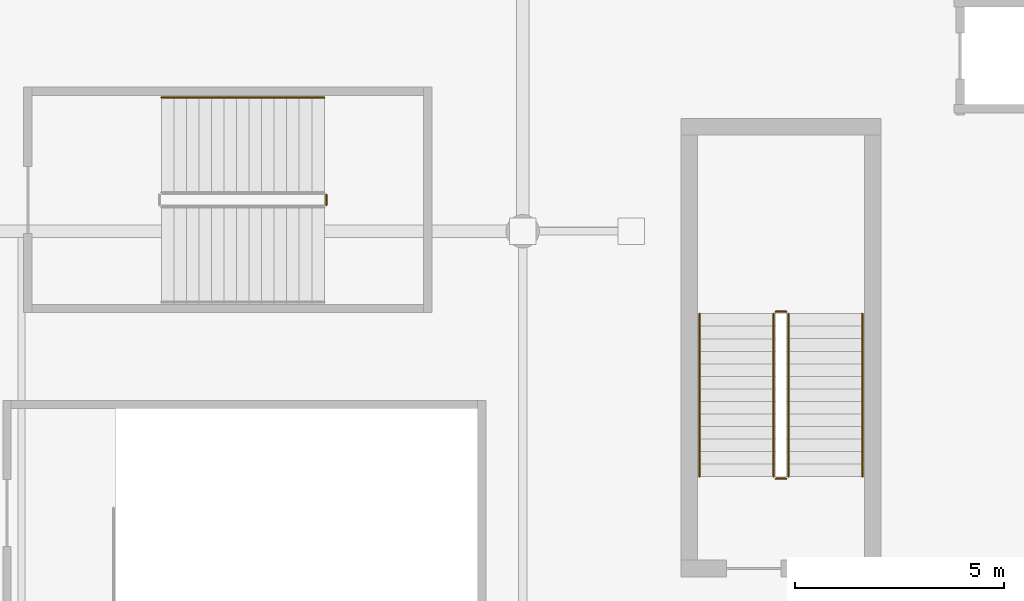
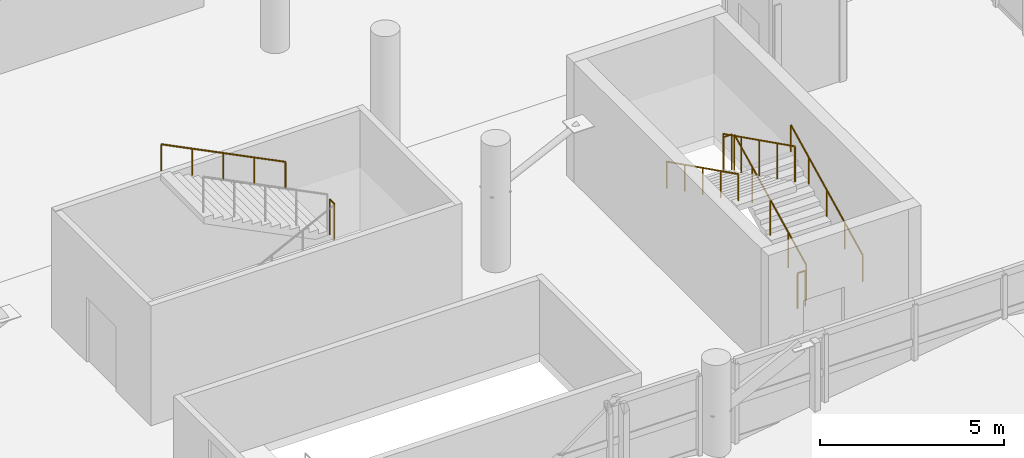
# One storey, part 128 of 136: 8 railings.
"""IFC4 building model written with IfcOpenShell, lengths in metres."""

from ifc_helpers import new_model, si_unit, direction, frame, origin, origin_2d, place, context, subcontext, project, spatial, circle, extrude, material, type_object, element, save


model = new_model("IFC4")

# Units and contexts
model_context = context("Model", 3, precision=1e-05, world=origin(), true_north=direction((0.0, 1.0)))
body_context = subcontext(model_context, "Body", "Model", "MODEL_VIEW")
ifc_project = project(units=[si_unit("LENGTHUNIT", "METRE"), si_unit("AREAUNIT", "SQUARE_METRE"), si_unit("VOLUMEUNIT", "CUBIC_METRE"), si_unit("PLANEANGLEUNIT", "RADIAN"), si_unit("MASSUNIT", "GRAM", prefix="KILO")], contexts=[model_context])

# Site, building, storey
site_placement = place(None, origin())
site = spatial("IfcSite", under=ifc_project, at=site_placement, CompositionType="ELEMENT")
building_placement = place(site_placement, origin())
building = spatial("IfcBuilding", under=site, at=building_placement, Name="Chuanluo Vaults Station", CompositionType="ELEMENT")
storey_placement = place(building_placement, frame((0.0, 0.0, 6.60009765625)))
storey = spatial("IfcBuildingStorey", under=building, at=storey_placement, Name="L01", CompositionType="ELEMENT", Elevation=6.60009765625)

# Railings
ifc_material_1 = material(Name="Tempered laminated balustrade glass", Category="glass")
railing_type_1 = type_object("IfcRailingType", Name="RLG-GUARD-1200", PredefinedType="BALUSTRADE", material=ifc_material_1)
railing_1_placement = place(storey_placement, frame((78.362548828125, 24.125, 0.14990234375)))
element("IfcRailing", 1, at=railing_1_placement, inside=storey, type_object=railing_type_1, Name="L01 ST-06 stair guard 1", PredefinedType="BALUSTRADE", context=body_context, shape_type="SweptSolid", body=[
    extrude(circle(Radius=0.02392578125, at=origin_2d()), frame((0.0, 0.0, 1.17578125), z_axis=(0.0, 0.894427191, 0.4472135955), x_axis=(-1.0, 0.0, 0.0)), (0.0, 0.0, 1.0), 4.360107421875),
    extrude(circle(Radius=0.02099609375, at=origin_2d()), origin(), (0.0, 0.0, 1.0), 1.15185546875),
    extrude(circle(Radius=0.02099609375, at=origin_2d()), frame((0.0, 0.97509765625, 0.487548828125)), (0.0, 0.0, 1.0), 1.15185546875),
    extrude(circle(Radius=0.02099609375, at=origin_2d()), frame((0.0, 1.949951171875, 0.97509765625)), (0.0, 0.0, 1.0), 1.15185546875),
    extrude(circle(Radius=0.02099609375, at=origin_2d()), frame((0.0, 2.9248046875, 1.46240234375)), (0.0, 0.0, 1.0), 1.15185546875),
    extrude(circle(Radius=0.02099609375, at=origin_2d()), frame((0.0, 3.89990234375, 1.949951171875)), (0.0, 0.0, 1.0), 1.15185546875),
])
railing_2_placement = place(storey_placement, frame((78.3125, 28.074951171875, 2.099853515625)))
element("IfcRailing", 2, at=railing_2_placement, inside=storey, type_object=railing_type_1, Name="L01 ST-06 stair guard 2", PredefinedType="BALUSTRADE", context=body_context, shape_type="SweptSolid", body=[
    extrude(circle(Radius=0.02392578125, at=origin_2d()), frame((0.0, 0.0, 1.17578125), z_axis=(-1.0, 0.0, 0.0), x_axis=(0.0, -1.0, 0.0)), (0.0, 0.0, 1.0), 0.25),
    extrude(circle(Radius=0.02099609375, at=origin_2d()), origin(), (0.0, 0.0, 1.0), 1.15185546875),
    extrude(circle(Radius=0.02099609375, at=origin_2d()), frame((-0.25, 0.0, 0.0)), (0.0, 0.0, 1.0), 1.15185546875),
])
railing_3_placement = place(storey_placement, frame((78.012451171875, 28.02490234375, 2.25)))
element("IfcRailing", 3, at=railing_3_placement, inside=storey, type_object=railing_type_1, Name="L01 ST-06 stair guard 3", PredefinedType="BALUSTRADE", context=body_context, shape_type="SweptSolid", body=[
    extrude(circle(Radius=0.02392578125, at=origin_2d()), frame((0.0, 0.0, 1.17578125), z_axis=(0.0, -0.894427191, 0.4472135955), x_axis=(1.0, 0.0, 0.0)), (0.0, 0.0, 1.0), 4.360107421875),
    extrude(circle(Radius=0.02099609375, at=origin_2d()), origin(), (0.0, 0.0, 1.0), 1.15185546875),
    extrude(circle(Radius=0.02099609375, at=origin_2d()), frame((0.0, -0.97509765625, 0.487548828125)), (0.0, 0.0, 1.0), 1.15185546875),
    extrude(circle(Radius=0.02099609375, at=origin_2d()), frame((0.0, -1.949951171875, 0.97509765625)), (0.0, 0.0, 1.0), 1.15185546875),
    extrude(circle(Radius=0.02099609375, at=origin_2d()), frame((0.0, -2.9248046875, 1.46240234375)), (0.0, 0.0, 1.0), 1.15185546875),
    extrude(circle(Radius=0.02099609375, at=origin_2d()), frame((0.0, -3.89990234375, 1.949951171875)), (0.0, 0.0, 1.0), 1.15185546875),
])
railing_4_placement = place(storey_placement, frame((78.3125, 24.074951171875, 0.0)))
element("IfcRailing", 4, at=railing_4_placement, inside=storey, type_object=railing_type_1, Name="L01 ST-06 stair guard 4", PredefinedType="BALUSTRADE", context=body_context, shape_type="SweptSolid", body=[
    extrude(circle(Radius=0.02392578125, at=origin_2d()), frame((0.0, 0.0, 1.17578125), z_axis=(-1.0, 0.0, 0.0), x_axis=(0.0, -1.0, 0.0)), (0.0, 0.0, 1.0), 0.25),
    extrude(circle(Radius=0.02099609375, at=origin_2d()), origin(), (0.0, 0.0, 1.0), 1.15185546875),
    extrude(circle(Radius=0.02099609375, at=origin_2d()), frame((-0.25, 0.0, 0.0)), (0.0, 0.0, 1.0), 1.15185546875),
])
railing_5_placement = place(storey_placement, frame((67.300048828125, 30.625, 2.099853515625)))
element("IfcRailing", 5, at=railing_5_placement, inside=storey, type_object=railing_type_1, Name="L01 ST-23 stair guard 2", PredefinedType="BALUSTRADE", context=body_context, shape_type="SweptSolid", body=[
    extrude(circle(Radius=0.02392578125, at=origin_2d()), frame((0.0, 0.0, 1.17578125), z_axis=(0.0, 1.0, 0.0), x_axis=(-1.0, 0.0, 0.0)), (0.0, 0.0, 1.0), 0.25),
    extrude(circle(Radius=0.02099609375, at=origin_2d()), origin(), (0.0, 0.0, 1.0), 1.15185546875),
    extrude(circle(Radius=0.02099609375, at=origin_2d()), frame((0.0, 0.25, 0.0)), (0.0, 0.0, 1.0), 1.15185546875),
])
ifc_material_2 = material(Name="Brushed stainless steel 304", Category="steel")
railing_type_2 = type_object("IfcRailingType", Name="RLG-HAND-900", PredefinedType="HANDRAIL", material=ifc_material_2)
railing_6_placement = place(storey_placement, frame((80.137451171875, 24.125, 0.14990234375)))
element("IfcRailing", 6, at=railing_6_placement, inside=storey, type_object=railing_type_2, Name="L01 ST-06 stair handrail 1", PredefinedType="HANDRAIL", context=body_context, shape_type="SweptSolid", body=[
    extrude(circle(Radius=0.02392578125, at=origin_2d()), frame((0.0, 0.0, 0.8759765625), z_axis=(0.0, 0.894427191, 0.4472135955), x_axis=(-1.0, 0.0, 0.0)), (0.0, 0.0, 1.0), 4.360107421875),
    extrude(circle(Radius=0.02099609375, at=origin_2d()), origin(), (0.0, 0.0, 1.0), 0.851806640625),
    extrude(circle(Radius=0.02099609375, at=origin_2d()), frame((0.0, 0.97509765625, 0.487548828125)), (0.0, 0.0, 1.0), 0.851806640625),
    extrude(circle(Radius=0.02099609375, at=origin_2d()), frame((0.0, 1.949951171875, 0.97509765625)), (0.0, 0.0, 1.0), 0.851806640625),
    extrude(circle(Radius=0.02099609375, at=origin_2d()), frame((0.0, 2.9248046875, 1.46240234375)), (0.0, 0.0, 1.0), 0.851806640625),
    extrude(circle(Radius=0.02099609375, at=origin_2d()), frame((0.0, 3.89990234375, 1.949951171875)), (0.0, 0.0, 1.0), 0.851806640625),
])
railing_7_placement = place(storey_placement, frame((76.237548828125, 28.02490234375, 2.25)))
element("IfcRailing", 7, at=railing_7_placement, inside=storey, type_object=railing_type_2, Name="L01 ST-06 stair handrail 2", PredefinedType="HANDRAIL", context=body_context, shape_type="SweptSolid", body=[
    extrude(circle(Radius=0.02392578125, at=origin_2d()), frame((0.0, 0.0, 0.8759765625), z_axis=(0.0, -0.894427191, 0.4472135955), x_axis=(1.0, 0.0, 0.0)), (0.0, 0.0, 1.0), 4.360107421875),
    extrude(circle(Radius=0.02099609375, at=origin_2d()), origin(), (0.0, 0.0, 1.0), 0.851806640625),
    extrude(circle(Radius=0.02099609375, at=origin_2d()), frame((0.0, -0.97509765625, 0.487548828125)), (0.0, 0.0, 1.0), 0.851806640625),
    extrude(circle(Radius=0.02099609375, at=origin_2d()), frame((0.0, -1.949951171875, 0.97509765625)), (0.0, 0.0, 1.0), 0.851806640625),
    extrude(circle(Radius=0.02099609375, at=origin_2d()), frame((0.0, -2.9248046875, 1.46240234375)), (0.0, 0.0, 1.0), 0.851806640625),
    extrude(circle(Radius=0.02099609375, at=origin_2d()), frame((0.0, -3.89990234375, 1.949951171875)), (0.0, 0.0, 1.0), 0.851806640625),
])
railing_8_placement = place(storey_placement, frame((67.25, 33.199951171875, 2.25)))
element("IfcRailing", 8, at=railing_8_placement, inside=storey, type_object=railing_type_2, Name="L01 ST-23 stair handrail 2", PredefinedType="HANDRAIL", context=body_context, shape_type="SweptSolid", body=[
    extrude(circle(Radius=0.02392578125, at=origin_2d()), frame((0.0, 0.0, 0.8759765625), z_axis=(-0.894427191, 0.0, 0.4472135955), x_axis=(0.0, -1.0, 0.0)), (0.0, 0.0, 1.0), 4.360107421875),
    extrude(circle(Radius=0.02099609375, at=origin_2d()), origin(), (0.0, 0.0, 1.0), 0.851806640625),
    extrude(circle(Radius=0.02099609375, at=origin_2d()), frame((-0.97509765625, 0.0, 0.487548828125)), (0.0, 0.0, 1.0), 0.851806640625),
    extrude(circle(Radius=0.02099609375, at=origin_2d()), frame((-1.949951171875, 0.0, 0.97509765625)), (0.0, 0.0, 1.0), 0.851806640625),
    extrude(circle(Radius=0.02099609375, at=origin_2d()), frame((-2.9248046875, 0.0, 1.46240234375)), (0.0, 0.0, 1.0), 0.851806640625),
    extrude(circle(Radius=0.02099609375, at=origin_2d()), frame((-3.89990234375, 0.0, 1.949951171875)), (0.0, 0.0, 1.0), 0.851806640625),
])

save(model, "model.ifc")
